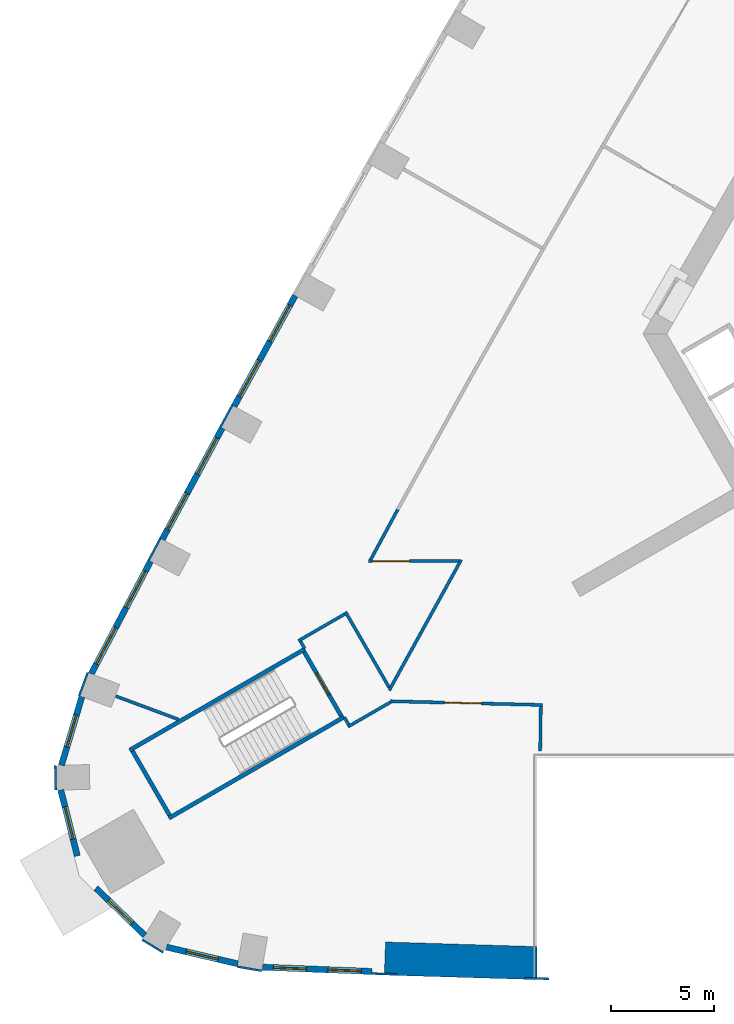
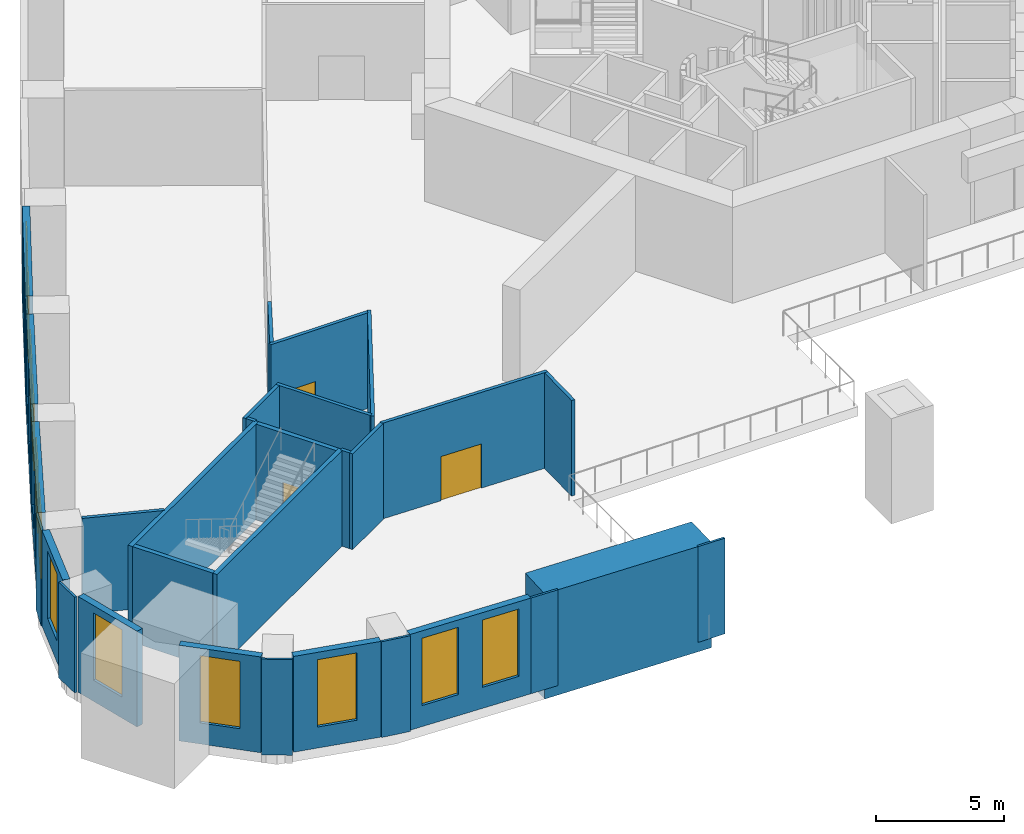
# One storey, part 2 of 16: 32 walls, 12 windows, 3 doors, 15 openings.
"""IFC4 building model written with IfcOpenShell, lengths in metres."""

from ifc_helpers import new_model, si_unit, direction, frame, frame_2d, origin, place, context, subcontext, project, spatial, polyline, rectangle, outline, extrude, material, layer, layer_set, type_object, element, fill, save


model = new_model("IFC4")

# Units and contexts
model_context = context("Model", 3, precision=1e-05, world=origin(), true_north=direction((0.0, 1.0)))
body_context = subcontext(model_context, "Body", "Model", "MODEL_VIEW")
ifc_project = project(units=[si_unit("LENGTHUNIT", "METRE"), si_unit("AREAUNIT", "SQUARE_METRE"), si_unit("VOLUMEUNIT", "CUBIC_METRE"), si_unit("PLANEANGLEUNIT", "RADIAN"), si_unit("MASSUNIT", "GRAM", prefix="KILO")], contexts=[model_context])

# Site, building, storey
site_placement = place(None, origin())
site = spatial("IfcSite", under=ifc_project, at=site_placement, CompositionType="ELEMENT")
building_placement = place(site_placement, origin())
building = spatial("IfcBuilding", under=site, at=building_placement, Name="Entoto Arch Interchange Tower", CompositionType="ELEMENT")
storey_placement = place(building_placement, frame((0.0, 0.0, 15.0)))
storey = spatial("IfcBuildingStorey", under=building, at=storey_placement, Name="L02", CompositionType="ELEMENT", Elevation=15.0)

# Walls
ifc_material_1 = material(Name="Concrete C60/75", Category="concrete")
ifc_layer_1 = layer(ifc_material_1, 1.60009765625)
ifc_layer_set_1 = layer_set([ifc_layer_1], Name="Concrete C60/75")
wall_type_1 = type_object("IfcWallType", Name="Arch leg wall 1600 C60/75", PredefinedType="SHEAR", material=ifc_layer_set_1)
wall_1_placement = place(storey_placement, frame((0.0, 0.0, -0.449951171875)))
element("IfcWall", 1, at=wall_1_placement, inside=storey, type_object=wall_type_1, Name="Arch leg W L02", PredefinedType="SHEAR", context=body_context, shape_type="SweptSolid", body=[
    extrude(outline(polyline([(-26.376953125, -28.5400390625), (-19.0, -28.761962890625), (-18.97607421875, -27.162109375), (-26.321044921875, -26.94091796875), (-26.376953125, -28.5400390625)])), origin(), (0.0, 0.0, 1.0), 5.0),
])
ifc_material_2 = material(Name="Gypsum board partition on steel studs", Category="steel")
ifc_layer_2 = layer(ifc_material_2, 0.14990234375)
ifc_layer_set_2 = layer_set([ifc_layer_2], Name="Gypsum board partition on steel studs")
wall_type_2 = type_object("IfcWallType", Name="PARTITION 150", PredefinedType="PARTITIONING", material=ifc_layer_set_2)
wall_2_placement = place(storey_placement, frame((-39.3779296875, -15.037109375, 0.0), z_axis=(0.0, 0.0, 1.0), x_axis=(0.937400028274, -0.348254485961, 0.0)))
element("IfcWall", 2, at=wall_2_placement, inside=storey, type_object=wall_type_2, Name="wall:L02:p032", PredefinedType="PARTITIONING", context=body_context, shape_type="SweptSolid", body=[
    extrude(rectangle(XDim=3.247314453125, YDim=0.14990234375, at=frame_2d((1.62353515625, 0.0))), origin(), (0.0, 0.0, 1.0), 4.550048828125),
])
wall_3_placement = place(storey_placement, frame((-28.30908203125, -16.06689453125, 0.0), z_axis=(0.0, 0.0, 1.0), x_axis=(0.499546646484, -0.86628698939, 0.0)))
element("IfcWall", 3, at=wall_3_placement, inside=storey, type_object=wall_type_2, Name="wall:L02:p033", PredefinedType="PARTITIONING", context=body_context, shape_type="SweptSolid", body=[
    extrude(rectangle(XDim=0.400634765625, YDim=0.14990234375, at=frame_2d((0.2001953125, 0.0))), origin(), (0.0, 0.0, 1.0), 4.550048828125),
])
wall_4_placement = place(storey_placement, frame((-28.136962890625, -16.51708984375, 0.0), z_axis=(0.0, 0.0, 1.0), x_axis=(0.865960610734, 0.500112208066, 0.0)))
element("IfcWall", 4, at=wall_4_placement, inside=storey, type_object=wall_type_2, Name="wall:L02:p034", PredefinedType="PARTITIONING", context=body_context, shape_type="SweptSolid", body=[
    extrude(rectangle(XDim=2.3857421875, YDim=0.14990234375, at=frame_2d((1.19287109375, 0.0))), origin(), (0.0, 0.0, 1.0), 4.550048828125),
])

# Wall, opening, door
wall_5_placement = place(storey_placement, frame((-26.0810546875, -15.283935546875, 0.0), z_axis=(0.0, 0.0, 1.0), x_axis=(0.999696822244, -0.02462242057, 0.0)))
wall_5 = element("IfcWall", 5, at=wall_5_placement, inside=storey, type_object=wall_type_2, Name="wall:L02:p035", PredefinedType="PARTITIONING", context=body_context, shape_type="SweptSolid", body=[
    extrude(rectangle(XDim=7.357177734375, YDim=0.14990234375, at=frame_2d((3.6787109375, 0.0))), origin(), (0.0, 0.0, 1.0), 4.550048828125),
])
opening_1_placement = place(wall_5_placement, frame((2.618896484375, 0.0, 0.0)))
opening_1 = element("IfcOpeningElement", 6, at=opening_1_placement, cuts=wall_5, Name="Opening L02-D03", PredefinedType="OPENING", context=body_context, shape_type="SweptSolid", body=[
    extrude(rectangle(XDim=1.800048828125, YDim=2.10009765625, at=frame_2d((0.89990234375, 1.050048828125))), frame((0.0, 0.0849609375, 0.0), z_axis=(0.0, -1.0, 0.0), x_axis=(1.0, 0.0, 0.0)), (0.0, 0.0, 1.0), 0.169921875),
])
ifc_material_3 = material(Name="Timber door leaf in Steel S235 frame", Category="steel")
door_type_1 = type_object("IfcDoorType", Name="DOOR DD-18 1800x2100", OperationType="DOUBLE_DOOR_SINGLE_SWING", PredefinedType="DOOR", material=ifc_material_3)
door_1_placement = place(opening_1_placement, origin())
door_1 = element("IfcDoor", 7, at=door_1_placement, inside=storey, type_object=door_type_1, Name="door:L02:03", OperationType="DOUBLE_DOOR_SINGLE_SWING", OverallHeight=2.10009765625, OverallWidth=1.800048828125, PredefinedType="DOOR", context=body_context, shape_type="SweptSolid", body=[
    extrude(rectangle(XDim=1.800048828125, YDim=2.10009765625, at=frame_2d((0.89990234375, 1.050048828125))), frame((0.0, 0.02490234375, 0.0), z_axis=(0.0, -1.0, 0.0), x_axis=(1.0, 0.0, 0.0)), (0.0, 0.0, 1.0), 0.050048828125),
])
fill(opening_1, door_1)

# Walls
wall_6_placement = place(storey_placement, frame((-18.802001953125, -15.5380859375, 0.0), z_axis=(0.0, 0.0, 1.0), x_axis=(-0.014792283123, -0.999890588195, 0.0)))
element("IfcWall", 8, at=wall_6_placement, inside=storey, type_object=wall_type_2, Name="wall:L02:p036", PredefinedType="PARTITIONING", context=body_context, shape_type="SweptSolid", body=[
    extrude(rectangle(XDim=2.162109375, YDim=0.14990234375, at=frame_2d((1.0810546875, 0.0))), origin(), (0.0, 0.0, 1.0), 4.550048828125),
])
wall_7_placement = place(storey_placement, frame((-25.73291015625, -6.009033203125, 0.0), z_axis=(0.0, 0.0, 1.0), x_axis=(-0.474749604856, -0.880120907995, 0.0)))
element("IfcWall", 9, at=wall_7_placement, inside=storey, type_object=wall_type_2, Name="wall:L02:p072", PredefinedType="PARTITIONING", context=body_context, shape_type="SweptSolid", body=[
    extrude(rectangle(XDim=2.75537109375, YDim=0.14990234375, at=frame_2d((1.377685546875, 0.0))), origin(), (0.0, 0.0, 1.0), 4.550048828125),
])

# Wall, opening, door
wall_8_placement = place(storey_placement, frame((-27.152099609375, -8.5, 0.0), z_axis=(0.0, 0.0, 1.0), x_axis=(1.0, 0.0, 0.0)))
wall_8 = element("IfcWall", 10, at=wall_8_placement, inside=storey, type_object=wall_type_2, Name="wall:L02:p073", PredefinedType="PARTITIONING", context=body_context, shape_type="SweptSolid", body=[
    extrude(rectangle(XDim=4.38720703125, YDim=0.14990234375, at=frame_2d((2.193603515625, 0.0))), origin(), (0.0, 0.0, 1.0), 4.550048828125),
])
opening_2_placement = place(wall_8_placement, frame((0.199951171875, 0.0, 0.0)))
opening_2 = element("IfcOpeningElement", 11, at=opening_2_placement, cuts=wall_8, Name="Opening L02-D11", PredefinedType="OPENING", context=body_context, shape_type="SweptSolid", body=[
    extrude(rectangle(XDim=1.800048828125, YDim=2.10009765625, at=frame_2d((0.89990234375, 1.050048828125))), frame((0.0, 0.0849609375, 0.0), z_axis=(0.0, -1.0, 0.0), x_axis=(1.0, 0.0, 0.0)), (0.0, 0.0, 1.0), 0.169921875),
])
door_2_placement = place(opening_2_placement, origin())
door_2 = element("IfcDoor", 12, at=door_2_placement, inside=storey, type_object=door_type_1, Name="door:L02:11", OperationType="DOUBLE_DOOR_SINGLE_SWING", OverallHeight=2.10009765625, OverallWidth=1.800048828125, PredefinedType="DOOR", context=body_context, shape_type="SweptSolid", body=[
    extrude(rectangle(XDim=1.800048828125, YDim=2.10009765625, at=frame_2d((0.89990234375, 1.050048828125))), frame((0.0, 0.02490234375, 0.0), z_axis=(0.0, -1.0, 0.0), x_axis=(1.0, 0.0, 0.0)), (0.0, 0.0, 1.0), 0.050048828125),
])
fill(opening_2, door_2)

# Walls
wall_9_placement = place(storey_placement, frame((-22.654052734375, -8.43408203125, 0.0), z_axis=(0.0, 0.0, 1.0), x_axis=(-0.483089865042, -0.875570775148, 0.0)))
element("IfcWall", 13, at=wall_9_placement, inside=storey, type_object=wall_type_2, Name="wall:L02:p074", PredefinedType="PARTITIONING", context=body_context, shape_type="SweptSolid", body=[
    extrude(rectangle(XDim=7.2158203125, YDim=0.14990234375, at=frame_2d((3.60791015625, 0.0))), origin(), (0.0, 0.0, 1.0), 4.550048828125),
])
wall_10_placement = place(storey_placement, frame((-26.14208984375, -14.62109375, 0.0), z_axis=(0.0, 0.0, 1.0), x_axis=(-0.500092051157, 0.865972251501, 0.0)))
element("IfcWall", 14, at=wall_10_placement, inside=storey, type_object=wall_type_2, Name="wall:L02:p075", PredefinedType="PARTITIONING", context=body_context, shape_type="SweptSolid", body=[
    extrude(rectangle(XDim=4.231201171875, YDim=0.14990234375, at=frame_2d((2.11572265625, 0.0))), origin(), (0.0, 0.0, 1.0), 4.550048828125),
])
wall_11_placement = place(storey_placement, frame((-28.284912109375, -11.05908203125, 0.0), z_axis=(0.0, 0.0, 1.0), x_axis=(-0.866108986466, -0.499855202596, 0.0)))
element("IfcWall", 15, at=wall_11_placement, inside=storey, type_object=wall_type_2, Name="wall:L02:p076", PredefinedType="PARTITIONING", context=body_context, shape_type="SweptSolid", body=[
    extrude(rectangle(XDim=2.600341796875, YDim=0.14990234375, at=frame_2d((1.30029296875, 0.0))), origin(), (0.0, 0.0, 1.0), 4.550048828125),
])
wall_12_placement = place(storey_placement, frame((-30.43408203125, -12.386962890625, 0.0), z_axis=(0.0, 0.0, 1.0), x_axis=(0.500867716848, -0.865523847285, 0.0)))
element("IfcWall", 16, at=wall_12_placement, inside=storey, type_object=wall_type_2, Name="wall:L02:p077", PredefinedType="PARTITIONING", context=body_context, shape_type="SweptSolid", body=[
    extrude(rectangle(XDim=0.399658203125, YDim=0.14990234375, at=frame_2d((0.19970703125, 0.0))), origin(), (0.0, 0.0, 1.0), 4.550048828125),
])
ifc_material_4 = material(Name="Concrete C40/50", Category="concrete")
ifc_layer_3 = layer(ifc_material_4, 0.199951171875)
ifc_layer_set_3 = layer_set([ifc_layer_3], Name="Concrete C40/50")
wall_type_3 = type_object("IfcWallType", Name="STAIR ENCLOSURE WALL 200", PredefinedType="STANDARD", material=ifc_layer_set_3)
for number, where, z_axis, x_axis, name in (
    (17, (-30.221923828125, -12.7548828125, 0.0), (0.0, 0.0, 1.0), (-0.866019227021, -0.500010698315, 0.0), "Stair wall PST-SW left"),
    (18, (-28.322021484375, -16.044921875, 0.0), (0.0, 0.0, 1.0), (-0.866019227021, -0.500010698315, 0.0), "Stair wall PST-SW right"),
):
    element("IfcWall", number, at=place(storey_placement, frame(where, z_axis=z_axis, x_axis=x_axis)), inside=storey, type_object=wall_type_3, Name=name, PredefinedType="STANDARD", context=body_context, shape_type="SweptSolid", body=[
        extrude(rectangle(XDim=9.800048828125, YDim=0.199951171875, at=frame_2d((4.89990234375, 0.0))), origin(), (0.0, 0.0, 1.0), 4.550048828125),
    ])

# Wall, opening, door
wall_13_placement = place(storey_placement, frame((-30.258056640625, -12.89111328125, 0.0), z_axis=(0.0, 0.0, 1.0), x_axis=(0.499982693035, -0.866035395735, 0.0)))
wall_13 = element("IfcWall", 19, at=wall_13_placement, inside=storey, type_object=wall_type_3, Name="Stair wall PST-SW near", PredefinedType="STANDARD", context=body_context, shape_type="SweptSolid", body=[
    extrude(rectangle(XDim=3.600341796875, YDim=0.199951171875, at=frame_2d((1.80029296875, 0.0))), origin(), (0.0, 0.0, 1.0), 4.550048828125),
])
opening_3_placement = place(wall_13_placement, frame((1.199951171875, 0.0, 0.0)))
opening_3 = element("IfcOpeningElement", 20, at=opening_3_placement, cuts=wall_13, Name="Opening SD-PST-SW-L02", PredefinedType="OPENING", context=body_context, shape_type="SweptSolid", body=[
    extrude(rectangle(XDim=1.199951171875, YDim=2.199951171875, at=frame_2d((0.60009765625, 1.10009765625))), frame((0.0, 0.10986328125, 0.0), z_axis=(0.0, -1.0, 0.0), x_axis=(1.0, 0.0, 0.0)), (0.0, 0.0, 1.0), 0.219970703125),
])
ifc_material_5 = material(Name="Steel S235", Category="steel")
door_type_2 = type_object("IfcDoorType", Name="STAIR DOOR SD2 1200x2200", OperationType="SINGLE_SWING_LEFT", PredefinedType="DOOR", material=ifc_material_5)
door_3_placement = place(opening_3_placement, origin())
door_3 = element("IfcDoor", 21, at=door_3_placement, inside=storey, type_object=door_type_2, Name="Stair door PST-SW L02", OperationType="SINGLE_SWING_LEFT", OverallHeight=2.199951171875, OverallWidth=1.199951171875, PredefinedType="DOOR", context=body_context, shape_type="SweptSolid", body=[
    extrude(rectangle(XDim=1.199951171875, YDim=2.199951171875, at=frame_2d((0.60009765625, 1.10009765625))), frame((0.0, 0.02490234375, 0.0), z_axis=(0.0, -1.0, 0.0), x_axis=(1.0, 0.0, 0.0)), (0.0, 0.0, 1.0), 0.050048828125),
])
fill(opening_3, door_3)

# Wall
wall_14_placement = place(storey_placement, frame((-38.572021484375, -17.69091796875, 0.0), z_axis=(0.0, 0.0, 1.0), x_axis=(0.49995333141, -0.866052346231, 0.0)))
element("IfcWall", 22, at=wall_14_placement, inside=storey, type_object=wall_type_3, Name="Stair wall PST-SW far", PredefinedType="STANDARD", context=body_context, shape_type="SweptSolid", body=[
    extrude(rectangle(XDim=3.600341796875, YDim=0.199951171875, at=frame_2d((1.80029296875, 0.0))), origin(), (0.0, 0.0, 1.0), 4.550048828125),
])

# Wall, openings, windows
ifc_material_6 = material(Name="Welded tuff (ignimbrite) cladding, warm buff", Category="masonry")
ifc_layer_4 = layer(ifc_material_6, 0.300048828125)
ifc_layer_set_4 = layer_set([ifc_layer_4], Name="Welded tuff (ignimbrite) cladding, warm buff")
wall_type_4 = type_object("IfcWallType", Name="STONE INFILL WALL 300", PredefinedType="STANDARD", material=ifc_layer_set_4)
wall_15_placement = place(storey_placement, frame((-32.281982421875, -28.158935546875, 0.0), z_axis=(0.0, 0.0, 1.0), x_axis=(0.999234205654, -0.039128023863, 0.0)))
wall_15 = element("IfcWall", 23, at=wall_15_placement, inside=storey, type_object=wall_type_4, Name="Facade wall S-01 L02", PredefinedType="STANDARD", context=body_context, shape_type="SweptSolid", body=[
    extrude(rectangle(XDim=5.316162109375, YDim=0.300048828125, at=frame_2d((2.658203125, 0.0))), origin(), (0.0, 0.0, 1.0), 4.550048828125),
])
opening_4_placement = place(wall_15_placement, frame((0.529052734375, 0.0, 1.0)))
opening_4 = element("IfcOpeningElement", 24, at=opening_4_placement, cuts=wall_15, Name="Opening WP-C", PredefinedType="OPENING", context=body_context, shape_type="SweptSolid", body=[
    extrude(rectangle(XDim=1.60009765625, YDim=3.199951171875, at=frame_2d((0.800048828125, 1.60009765625))), frame((0.0, 0.16015625, 0.0), z_axis=(0.0, -1.0, 0.0), x_axis=(1.0, 0.0, 0.0)), (0.0, 0.0, 1.0), 0.320068359375),
])
opening_5_placement = place(wall_15_placement, frame((3.18701171875, 0.0, 1.0)))
opening_5 = element("IfcOpeningElement", 25, at=opening_5_placement, cuts=wall_15, Name="Opening WP-C", PredefinedType="OPENING", context=body_context, shape_type="SweptSolid", body=[
    extrude(rectangle(XDim=1.60009765625, YDim=3.199951171875, at=frame_2d((0.800048828125, 1.60009765625))), frame((0.0, 0.16015625, 0.0), z_axis=(0.0, -1.0, 0.0), x_axis=(1.0, 0.0, 0.0)), (0.0, 0.0, 1.0), 0.320068359375),
])
ifc_material_7 = material(Name="Clear glass, low-e double glazed", Category="glass")
window_type_1 = type_object("IfcWindowType", Name="WINDOW WP-C 1600x3200", PartitioningType="DOUBLE_PANEL_VERTICAL", PredefinedType="WINDOW", material=ifc_material_7)
window_1_placement = place(opening_4_placement, origin())
window_1 = element("IfcWindow", 26, at=window_1_placement, inside=storey, type_object=window_type_1, Name="Window WP-C S-01 L02", OverallHeight=3.199951171875, OverallWidth=1.60009765625, PartitioningType="SINGLE_PANEL", PredefinedType="WINDOW", context=body_context, shape_type="SweptSolid", body=[
    extrude(rectangle(XDim=1.60009765625, YDim=3.199951171875, at=frame_2d((0.800048828125, 1.60009765625))), frame((0.0, 0.030029296875, 0.0), z_axis=(0.0, -1.0, 0.0), x_axis=(1.0, 0.0, 0.0)), (0.0, 0.0, 1.0), 0.06005859375),
])
fill(opening_4, window_1)
window_2_placement = place(opening_5_placement, origin())
window_2 = element("IfcWindow", 27, at=window_2_placement, inside=storey, type_object=window_type_1, Name="Window WP-C S-01 L02", OverallHeight=3.199951171875, OverallWidth=1.60009765625, PartitioningType="SINGLE_PANEL", PredefinedType="WINDOW", context=body_context, shape_type="SweptSolid", body=[
    extrude(rectangle(XDim=1.60009765625, YDim=3.199951171875, at=frame_2d((0.800048828125, 1.60009765625))), frame((0.0, 0.030029296875, 0.0), z_axis=(0.0, -1.0, 0.0), x_axis=(1.0, 0.0, 0.0)), (0.0, 0.0, 1.0), 0.06005859375),
])
fill(opening_5, window_2)

wall_16_placement = place(storey_placement, frame((-30.694091796875, 4.35302734375, 0.0), z_axis=(0.0, 0.0, 1.0), x_axis=(-0.483233380559, -0.875491576152, 0.0)))
wall_16 = element("IfcWall", 28, at=wall_16_placement, inside=storey, type_object=wall_type_4, Name="Facade wall NW-07 L02", PredefinedType="STANDARD", context=body_context, shape_type="SweptSolid", body=[
    extrude(rectangle(XDim=6.121337890625, YDim=0.300048828125, at=frame_2d((3.060546875, 0.0))), origin(), (0.0, 0.0, 1.0), 4.550048828125),
])
opening_6_placement = place(wall_16_placement, frame((0.530029296875, 0.0, 1.0)))
opening_6 = element("IfcOpeningElement", 29, at=opening_6_placement, cuts=wall_16, Name="Opening WP-E", PredefinedType="OPENING", context=body_context, shape_type="SweptSolid", body=[
    extrude(rectangle(XDim=2.0, YDim=3.199951171875, at=frame_2d((1.0, 1.60009765625))), frame((0.0, 0.16015625, 0.0), z_axis=(0.0, -1.0, 0.0), x_axis=(1.0, 0.0, 0.0)), (0.0, 0.0, 1.0), 0.320068359375),
])
opening_7_placement = place(wall_16_placement, frame((3.591064453125, 0.0, 1.0)))
opening_7 = element("IfcOpeningElement", 30, at=opening_7_placement, cuts=wall_16, Name="Opening WP-E", PredefinedType="OPENING", context=body_context, shape_type="SweptSolid", body=[
    extrude(rectangle(XDim=2.0, YDim=3.199951171875, at=frame_2d((1.0, 1.60009765625))), frame((0.0, 0.16015625, 0.0), z_axis=(0.0, -1.0, 0.0), x_axis=(1.0, 0.0, 0.0)), (0.0, 0.0, 1.0), 0.320068359375),
])
window_type_2 = type_object("IfcWindowType", Name="WINDOW WP-E 2000x3200", PartitioningType="DOUBLE_PANEL_VERTICAL", PredefinedType="WINDOW", material=ifc_material_7)
window_3_placement = place(opening_6_placement, origin())
window_3 = element("IfcWindow", 31, at=window_3_placement, inside=storey, type_object=window_type_2, Name="Window WP-E NW-07 L02", OverallHeight=3.199951171875, OverallWidth=2.0, PartitioningType="SINGLE_PANEL", PredefinedType="WINDOW", context=body_context, shape_type="SweptSolid", body=[
    extrude(rectangle(XDim=2.0, YDim=3.199951171875, at=frame_2d((1.0, 1.60009765625))), frame((0.0, 0.030029296875, 0.0), z_axis=(0.0, -1.0, 0.0), x_axis=(1.0, 0.0, 0.0)), (0.0, 0.0, 1.0), 0.06005859375),
])
fill(opening_6, window_3)
window_4_placement = place(opening_7_placement, origin())
window_4 = element("IfcWindow", 32, at=window_4_placement, inside=storey, type_object=window_type_2, Name="Window WP-E NW-07 L02", OverallHeight=3.199951171875, OverallWidth=2.0, PartitioningType="SINGLE_PANEL", PredefinedType="WINDOW", context=body_context, shape_type="SweptSolid", body=[
    extrude(rectangle(XDim=2.0, YDim=3.199951171875, at=frame_2d((1.0, 1.60009765625))), frame((0.0, 0.030029296875, 0.0), z_axis=(0.0, -1.0, 0.0), x_axis=(1.0, 0.0, 0.0)), (0.0, 0.0, 1.0), 0.06005859375),
])
fill(opening_7, window_4)

wall_17_placement = place(storey_placement, frame((-34.22607421875, -2.05810546875, 0.0), z_axis=(0.0, 0.0, 1.0), x_axis=(-0.474584950749, -0.880209704856, 0.0)))
wall_17 = element("IfcWall", 33, at=wall_17_placement, inside=storey, type_object=wall_type_4, Name="Facade wall NW-08 L02", PredefinedType="STANDARD", context=body_context, shape_type="SweptSolid", body=[
    extrude(rectangle(XDim=6.12109375, YDim=0.300048828125, at=frame_2d((3.060546875, 0.0))), origin(), (0.0, 0.0, 1.0), 4.550048828125),
])
opening_8_placement = place(wall_17_placement, frame((0.530029296875, 0.0, 1.0)))
opening_8 = element("IfcOpeningElement", 34, at=opening_8_placement, cuts=wall_17, Name="Opening WP-E", PredefinedType="OPENING", context=body_context, shape_type="SweptSolid", body=[
    extrude(rectangle(XDim=2.0, YDim=3.199951171875, at=frame_2d((1.0, 1.60009765625))), frame((0.0, 0.16015625, 0.0), z_axis=(0.0, -1.0, 0.0), x_axis=(1.0, 0.0, 0.0)), (0.0, 0.0, 1.0), 0.320068359375),
])
opening_9_placement = place(wall_17_placement, frame((3.591064453125, 0.0, 1.0)))
opening_9 = element("IfcOpeningElement", 35, at=opening_9_placement, cuts=wall_17, Name="Opening WP-E", PredefinedType="OPENING", context=body_context, shape_type="SweptSolid", body=[
    extrude(rectangle(XDim=2.0, YDim=3.199951171875, at=frame_2d((1.0, 1.60009765625))), frame((0.0, 0.16015625, 0.0), z_axis=(0.0, -1.0, 0.0), x_axis=(1.0, 0.0, 0.0)), (0.0, 0.0, 1.0), 0.320068359375),
])
window_5_placement = place(opening_8_placement, origin())
window_5 = element("IfcWindow", 36, at=window_5_placement, inside=storey, type_object=window_type_2, Name="Window WP-E NW-08 L02", OverallHeight=3.199951171875, OverallWidth=2.0, PartitioningType="SINGLE_PANEL", PredefinedType="WINDOW", context=body_context, shape_type="SweptSolid", body=[
    extrude(rectangle(XDim=2.0, YDim=3.199951171875, at=frame_2d((1.0, 1.60009765625))), frame((0.0, 0.030029296875, 0.0), z_axis=(0.0, -1.0, 0.0), x_axis=(1.0, 0.0, 0.0)), (0.0, 0.0, 1.0), 0.06005859375),
])
fill(opening_8, window_5)
window_6_placement = place(opening_9_placement, origin())
window_6 = element("IfcWindow", 37, at=window_6_placement, inside=storey, type_object=window_type_2, Name="Window WP-E NW-08 L02", OverallHeight=3.199951171875, OverallWidth=2.0, PartitioningType="SINGLE_PANEL", PredefinedType="WINDOW", context=body_context, shape_type="SweptSolid", body=[
    extrude(rectangle(XDim=2.0, YDim=3.199951171875, at=frame_2d((1.0, 1.60009765625))), frame((0.0, 0.030029296875, 0.0), z_axis=(0.0, -1.0, 0.0), x_axis=(1.0, 0.0, 0.0)), (0.0, 0.0, 1.0), 0.06005859375),
])
fill(opening_9, window_6)

wall_18_placement = place(storey_placement, frame((-37.695068359375, -8.5029296875, 0.0), z_axis=(0.0, 0.0, 1.0), x_axis=(-0.466125129602, -0.884718804792, 0.0)))
wall_18 = element("IfcWall", 38, at=wall_18_placement, inside=storey, type_object=wall_type_4, Name="Facade wall NW-09 L02", PredefinedType="STANDARD", context=body_context, shape_type="SweptSolid", body=[
    extrude(rectangle(XDim=6.16357421875, YDim=0.300048828125, at=frame_2d((3.081787109375, 0.0))), origin(), (0.0, 0.0, 1.0), 4.550048828125),
])
opening_10_placement = place(wall_18_placement, frame((0.541015625, 0.0, 1.0)))
opening_10 = element("IfcOpeningElement", 39, at=opening_10_placement, cuts=wall_18, Name="Opening WP-E", PredefinedType="OPENING", context=body_context, shape_type="SweptSolid", body=[
    extrude(rectangle(XDim=2.0, YDim=3.199951171875, at=frame_2d((1.0, 1.60009765625))), frame((0.0, 0.16015625, 0.0), z_axis=(0.0, -1.0, 0.0), x_axis=(1.0, 0.0, 0.0)), (0.0, 0.0, 1.0), 0.320068359375),
])
opening_11_placement = place(wall_18_placement, frame((3.623046875, 0.0, 1.0)))
opening_11 = element("IfcOpeningElement", 40, at=opening_11_placement, cuts=wall_18, Name="Opening WP-E", PredefinedType="OPENING", context=body_context, shape_type="SweptSolid", body=[
    extrude(rectangle(XDim=2.0, YDim=3.199951171875, at=frame_2d((1.0, 1.60009765625))), frame((0.0, 0.16015625, 0.0), z_axis=(0.0, -1.0, 0.0), x_axis=(1.0, 0.0, 0.0)), (0.0, 0.0, 1.0), 0.320068359375),
])
window_7_placement = place(opening_10_placement, origin())
window_7 = element("IfcWindow", 41, at=window_7_placement, inside=storey, type_object=window_type_2, Name="Window WP-E NW-09 L02", OverallHeight=3.199951171875, OverallWidth=2.0, PartitioningType="SINGLE_PANEL", PredefinedType="WINDOW", context=body_context, shape_type="SweptSolid", body=[
    extrude(rectangle(XDim=2.0, YDim=3.199951171875, at=frame_2d((1.0, 1.60009765625))), frame((0.0, 0.030029296875, 0.0), z_axis=(0.0, -1.0, 0.0), x_axis=(1.0, 0.0, 0.0)), (0.0, 0.0, 1.0), 0.06005859375),
])
fill(opening_10, window_7)
window_8_placement = place(opening_11_placement, origin())
window_8 = element("IfcWindow", 42, at=window_8_placement, inside=storey, type_object=window_type_2, Name="Window WP-E NW-09 L02", OverallHeight=3.199951171875, OverallWidth=2.0, PartitioningType="SINGLE_PANEL", PredefinedType="WINDOW", context=body_context, shape_type="SweptSolid", body=[
    extrude(rectangle(XDim=2.0, YDim=3.199951171875, at=frame_2d((1.0, 1.60009765625))), frame((0.0, 0.030029296875, 0.0), z_axis=(0.0, -1.0, 0.0), x_axis=(1.0, 0.0, 0.0)), (0.0, 0.0, 1.0), 0.06005859375),
])
fill(opening_11, window_8)

# Wall, opening, window
wall_19_placement = place(storey_placement, frame((-41.02197265625, -15.06591796875, 0.0), z_axis=(0.0, 0.0, 1.0), x_axis=(-0.285800575124, -0.958289116738, 0.0)))
wall_19 = element("IfcWall", 43, at=wall_19_placement, inside=storey, type_object=wall_type_4, Name="Facade wall SW-01 L02", PredefinedType="STANDARD", context=body_context, shape_type="SweptSolid", body=[
    extrude(rectangle(XDim=3.46044921875, YDim=0.300048828125, at=frame_2d((1.730224609375, 0.0))), origin(), (0.0, 0.0, 1.0), 4.550048828125),
])
opening_12_placement = place(wall_19_placement, frame((0.929931640625, 0.0, 1.0)))
opening_12 = element("IfcOpeningElement", 44, at=opening_12_placement, cuts=wall_19, Name="Opening WP-C", PredefinedType="OPENING", context=body_context, shape_type="SweptSolid", body=[
    extrude(rectangle(XDim=1.60009765625, YDim=3.199951171875, at=frame_2d((0.800048828125, 1.60009765625))), frame((0.0, 0.16015625, 0.0), z_axis=(0.0, -1.0, 0.0), x_axis=(1.0, 0.0, 0.0)), (0.0, 0.0, 1.0), 0.320068359375),
])
window_9_placement = place(opening_12_placement, origin())
window_9 = element("IfcWindow", 45, at=window_9_placement, inside=storey, type_object=window_type_1, Name="Window WP-C SW-01 L02", OverallHeight=3.199951171875, OverallWidth=1.60009765625, PartitioningType="SINGLE_PANEL", PredefinedType="WINDOW", context=body_context, shape_type="SweptSolid", body=[
    extrude(rectangle(XDim=1.60009765625, YDim=3.199951171875, at=frame_2d((0.800048828125, 1.60009765625))), frame((0.0, 0.030029296875, 0.0), z_axis=(0.0, -1.0, 0.0), x_axis=(1.0, 0.0, 0.0)), (0.0, 0.0, 1.0), 0.06005859375),
])
fill(opening_12, window_9)

wall_20_placement = place(storey_placement, frame((-42.0439453125, -19.5810546875, 0.0), z_axis=(0.0, 0.0, 1.0), x_axis=(0.244315836028, -0.969695711172, 0.0)))
wall_20 = element("IfcWall", 46, at=wall_20_placement, inside=storey, type_object=wall_type_4, Name="Facade wall SW-02 L02", PredefinedType="STANDARD", context=body_context, shape_type="SweptSolid", body=[
    extrude(rectangle(XDim=3.29052734375, YDim=0.300048828125, at=frame_2d((1.645263671875, 0.0))), origin(), (0.0, 0.0, 1.0), 4.550048828125),
])
opening_13_placement = place(wall_20_placement, frame((0.844970703125, 0.0, 1.0)))
opening_13 = element("IfcOpeningElement", 47, at=opening_13_placement, cuts=wall_20, Name="Opening WP-C", PredefinedType="OPENING", context=body_context, shape_type="SweptSolid", body=[
    extrude(rectangle(XDim=1.60009765625, YDim=3.199951171875, at=frame_2d((0.800048828125, 1.60009765625))), frame((0.0, 0.16015625, 0.0), z_axis=(0.0, -1.0, 0.0), x_axis=(1.0, 0.0, 0.0)), (0.0, 0.0, 1.0), 0.320068359375),
])
window_10_placement = place(opening_13_placement, origin())
window_10 = element("IfcWindow", 48, at=window_10_placement, inside=storey, type_object=window_type_1, Name="Window WP-C SW-02 L02", OverallHeight=3.199951171875, OverallWidth=1.60009765625, PartitioningType="SINGLE_PANEL", PredefinedType="WINDOW", context=body_context, shape_type="SweptSolid", body=[
    extrude(rectangle(XDim=1.60009765625, YDim=3.199951171875, at=frame_2d((0.800048828125, 1.60009765625))), frame((0.0, 0.030029296875, 0.0), z_axis=(0.0, -1.0, 0.0), x_axis=(1.0, 0.0, 0.0)), (0.0, 0.0, 1.0), 0.06005859375),
])
fill(opening_13, window_10)

wall_21_placement = place(storey_placement, frame((-40.341064453125, -24.3291015625, 0.0), z_axis=(0.0, 0.0, 1.0), x_axis=(0.717527250225, -0.696530433782, 0.0)))
wall_21 = element("IfcWall", 49, at=wall_21_placement, inside=storey, type_object=wall_type_4, Name="Facade wall SW-03 L02", PredefinedType="STANDARD", context=body_context, shape_type="SweptSolid", body=[
    extrude(rectangle(XDim=3.29052734375, YDim=0.300048828125, at=frame_2d((1.645263671875, 0.0))), origin(), (0.0, 0.0, 1.0), 4.550048828125),
])
opening_14_placement = place(wall_21_placement, frame((0.844970703125, 0.0, 1.0)))
opening_14 = element("IfcOpeningElement", 50, at=opening_14_placement, cuts=wall_21, Name="Opening WP-C", PredefinedType="OPENING", context=body_context, shape_type="SweptSolid", body=[
    extrude(rectangle(XDim=1.60009765625, YDim=3.199951171875, at=frame_2d((0.800048828125, 1.60009765625))), frame((0.0, 0.16015625, 0.0), z_axis=(0.0, -1.0, 0.0), x_axis=(1.0, 0.0, 0.0)), (0.0, 0.0, 1.0), 0.320068359375),
])
window_11_placement = place(opening_14_placement, origin())
window_11 = element("IfcWindow", 51, at=window_11_placement, inside=storey, type_object=window_type_1, Name="Window WP-C SW-03 L02", OverallHeight=3.199951171875, OverallWidth=1.60009765625, PartitioningType="SINGLE_PANEL", PredefinedType="WINDOW", context=body_context, shape_type="SweptSolid", body=[
    extrude(rectangle(XDim=1.60009765625, YDim=3.199951171875, at=frame_2d((0.800048828125, 1.60009765625))), frame((0.0, 0.030029296875, 0.0), z_axis=(0.0, -1.0, 0.0), x_axis=(1.0, 0.0, 0.0)), (0.0, 0.0, 1.0), 0.06005859375),
])
fill(opening_14, window_11)

wall_22_placement = place(storey_placement, frame((-36.923095703125, -27.18896484375, 0.0), z_axis=(0.0, 0.0, 1.0), x_axis=(0.97357041301, -0.228387063799, 0.0)))
wall_22 = element("IfcWall", 52, at=wall_22_placement, inside=storey, type_object=wall_type_4, Name="Facade wall SW-04 L02", PredefinedType="STANDARD", context=body_context, shape_type="SweptSolid", body=[
    extrude(rectangle(XDim=3.546875, YDim=0.300048828125, at=frame_2d((1.7734375, 0.0))), origin(), (0.0, 0.0, 1.0), 4.550048828125),
])
opening_15_placement = place(wall_22_placement, frame((0.972900390625, 0.0, 1.0)))
opening_15 = element("IfcOpeningElement", 53, at=opening_15_placement, cuts=wall_22, Name="Opening WP-C", PredefinedType="OPENING", context=body_context, shape_type="SweptSolid", body=[
    extrude(rectangle(XDim=1.60009765625, YDim=3.199951171875, at=frame_2d((0.800048828125, 1.60009765625))), frame((0.0, 0.16015625, 0.0), z_axis=(0.0, -1.0, 0.0), x_axis=(1.0, 0.0, 0.0)), (0.0, 0.0, 1.0), 0.320068359375),
])
window_12_placement = place(opening_15_placement, origin())
window_12 = element("IfcWindow", 54, at=window_12_placement, inside=storey, type_object=window_type_1, Name="Window WP-C SW-04 L02", OverallHeight=3.199951171875, OverallWidth=1.60009765625, PartitioningType="SINGLE_PANEL", PredefinedType="WINDOW", context=body_context, shape_type="SweptSolid", body=[
    extrude(rectangle(XDim=1.60009765625, YDim=3.199951171875, at=frame_2d((0.800048828125, 1.60009765625))), frame((0.0, 0.030029296875, 0.0), z_axis=(0.0, -1.0, 0.0), x_axis=(1.0, 0.0, 0.0)), (0.0, 0.0, 1.0), 0.06005859375),
])
fill(opening_15, window_12)

# Walls
ifc_layer_5 = layer(ifc_material_6, 0.10009765625)
ifc_layer_set_5 = layer_set([ifc_layer_5], Name="Welded tuff (ignimbrite) cladding, warm buff")
wall_type_5 = type_object("IfcWallType", Name="STONE PIER CLADDING 100", PredefinedType="STANDARD", material=ifc_layer_set_5)
wall_23_placement = place(storey_placement, frame((-33.741943359375, -0.9560546875, 0.0), z_axis=(0.0, 0.0, 1.0), x_axis=(-0.478267644701, -0.878214131082, 0.0)))
element("IfcWall", 55, at=wall_23_placement, inside=storey, type_object=wall_type_5, Name="Stone pier NW08 L02", PredefinedType="STANDARD", context=body_context, shape_type="SweptSolid", body=[
    extrude(rectangle(XDim=1.2001953125, YDim=0.10009765625, at=frame_2d((0.60009765625, 0.0))), origin(), (0.0, 0.0, 1.0), 4.550048828125),
])
wall_24_placement = place(storey_placement, frame((-37.221923828125, -7.39697265625, 0.0), z_axis=(0.0, 0.0, 1.0), x_axis=(-0.469383408131, -0.882994459876, 0.0)))
element("IfcWall", 56, at=wall_24_placement, inside=storey, type_object=wall_type_5, Name="Stone pier NW09 L02", PredefinedType="STANDARD", context=body_context, shape_type="SweptSolid", body=[
    extrude(rectangle(XDim=1.199462890625, YDim=0.10009765625, at=frame_2d((0.599609375, 0.0))), origin(), (0.0, 0.0, 1.0), 4.550048828125),
])
wall_25_placement = place(storey_placement, frame((-40.735107421875, -13.89306640625, 0.0), z_axis=(0.0, 0.0, 1.0), x_axis=(-0.348268249601, -0.937394914814, 0.0)))
element("IfcWall", 57, at=wall_25_placement, inside=storey, type_object=wall_type_5, Name="Stone pier NW10 L02", PredefinedType="STANDARD", context=body_context, shape_type="SweptSolid", body=[
    extrude(rectangle(XDim=1.2001953125, YDim=0.10009765625, at=frame_2d((0.60009765625, 0.0))), origin(), (0.0, 0.0, 1.0), 4.550048828125),
])
wall_26_placement = place(storey_placement, frame((-33.493896484375, -28.135009765625, 0.0), z_axis=(0.0, 0.0, 1.0), x_axis=(0.986011774526, -0.166675674579, 0.0)))
element("IfcWall", 58, at=wall_26_placement, inside=storey, type_object=wall_type_5, Name="Stone pier S01 L02", PredefinedType="STANDARD", context=body_context, shape_type="SweptSolid", body=[
    extrude(rectangle(XDim=1.19970703125, YDim=0.10009765625, at=frame_2d((0.599853515625, 0.0))), origin(), (0.0, 0.0, 1.0), 4.550048828125),
])
wall_27_placement = place(storey_placement, frame((-26.97509765625, -28.468994140625, 0.0), z_axis=(0.0, 0.0, 1.0), x_axis=(0.999387493042, -0.034994838926, 0.0)))
element("IfcWall", 59, at=wall_27_placement, inside=storey, type_object=wall_type_5, Name="Stone pier S02 L02", PredefinedType="STANDARD", context=body_context, shape_type="SweptSolid", body=[
    extrude(rectangle(XDim=1.199951171875, YDim=0.10009765625, at=frame_2d((0.60009765625, 0.0))), origin(), (0.0, 0.0, 1.0), 4.550048828125),
])
wall_28_placement = place(storey_placement, frame((-19.59912109375, -28.702880859375, 0.0), z_axis=(0.0, 0.0, 1.0), x_axis=(0.999886724523, -0.015051183404, 0.0)))
element("IfcWall", 60, at=wall_28_placement, inside=storey, type_object=wall_type_5, Name="Stone pier S03 L02", PredefinedType="STANDARD", context=body_context, shape_type="SweptSolid", body=[
    extrude(rectangle(XDim=1.200439453125, YDim=0.10009765625, at=frame_2d((0.60009765625, 0.0))), origin(), (0.0, 0.0, 1.0), 4.550048828125),
])
for number, where, z_axis, x_axis, name in (
    (61, (-42.31201171875, -18.387939453125, 0.0), (0.0, 0.0, 1.0), (0.023391359968, -0.999726384707, 0.0), "Stone pier SW1 L02"),
    (62, (-38.10595703125, -26.825927734375, 0.0), (0.0, 0.0, 1.0), (0.854716608594, -0.519094903649, 0.0), "Stone pier SW3 L02"),
):
    element("IfcWall", number, at=place(storey_placement, frame(where, z_axis=z_axis, x_axis=x_axis)), inside=storey, type_object=wall_type_5, Name=name, PredefinedType="STANDARD", context=body_context, shape_type="SweptSolid", body=[
        extrude(rectangle(XDim=1.2001953125, YDim=0.10009765625, at=frame_2d((0.60009765625, 0.0))), origin(), (0.0, 0.0, 1.0), 4.550048828125),
    ])

save(model, "model.ifc")
